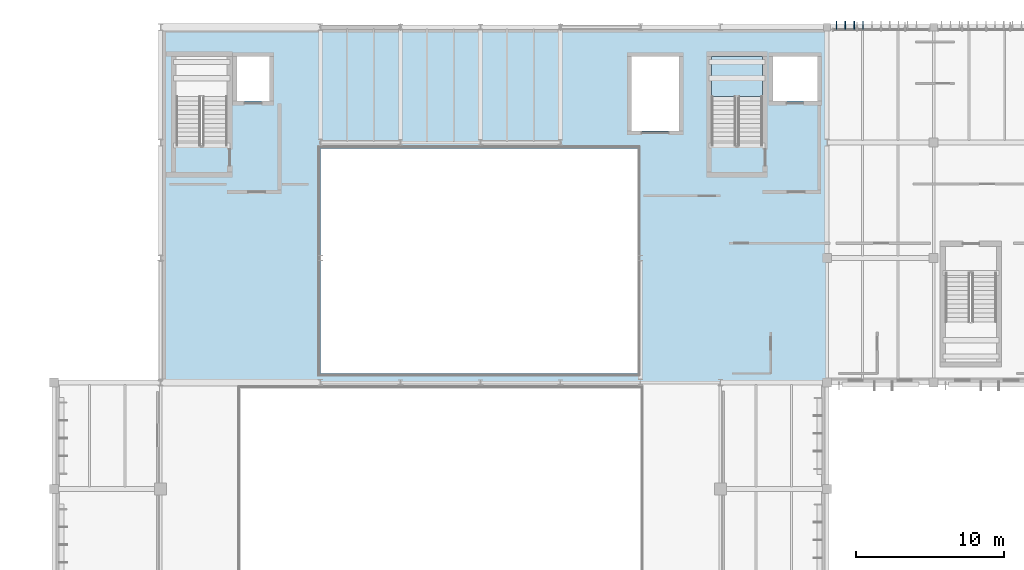
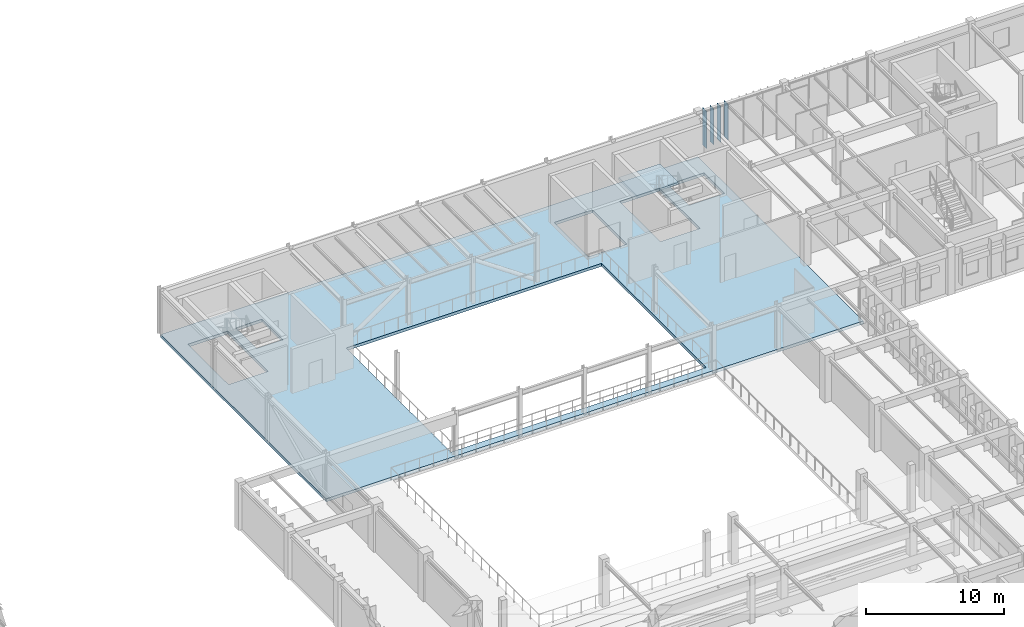
# One storey, part 28 of 122: 4 plates, 2 slabs, 1 element without a shape of its own.
"""IFC4 building model written with IfcOpenShell, lengths in metres."""

from ifc_helpers import new_model, si_unit, direction, frame, origin, origin_2d, place, context, subcontext, project, spatial, polyline, rectangle, outline, extrude, material, layer, layer_set, type_object, element, aggregate, save


model = new_model("IFC4")

# Units and contexts
model_context = context("Model", 3, precision=1e-05, world=origin(), true_north=direction((0.0, 1.0)))
body_context = subcontext(model_context, "Body", "Model", "MODEL_VIEW")
ifc_project = project(units=[si_unit("LENGTHUNIT", "METRE"), si_unit("AREAUNIT", "SQUARE_METRE"), si_unit("VOLUMEUNIT", "CUBIC_METRE"), si_unit("PLANEANGLEUNIT", "RADIAN"), si_unit("MASSUNIT", "GRAM", prefix="KILO")], contexts=[model_context])

# Site, building, storey
site_placement = place(None, origin())
site = spatial("IfcSite", under=ifc_project, at=site_placement, CompositionType="ELEMENT")
building_placement = place(site_placement, origin())
building = spatial("IfcBuilding", under=site, at=building_placement, Name="Tazoul Stagehouse", CompositionType="ELEMENT")
storey_placement = place(building_placement, frame((0.0, 0.0, 4.800048828125)))
storey = spatial("IfcBuildingStorey", under=building, at=storey_placement, Name="L01", CompositionType="ELEMENT", Elevation=4.800048828125)

# Stair, slab
ifc_material_1 = material(Name="Concrete C40/50", Category="concrete")
stair_type = type_object("IfcStairType", Name="Protected Core Dogleg Stair 4800", PredefinedType="HALF_TURN_STAIR", material=ifc_material_1)
stair_placement = place(storey_placement, origin())
stair = element("IfcStair", 1, at=stair_placement, inside=storey, type_object=stair_type, Name="L01 Core Escape Stair ST-01", PredefinedType="HALF_TURN_STAIR")
ifc_layer_1 = layer(ifc_material_1, 0.179931640625, Name="Concrete C40/50")
ifc_layer_set_1 = layer_set([ifc_layer_1], Name="Concrete C40/50")
slab_type_1 = type_object("IfcSlabType", Name="Core Half-Landing Slab 180", PredefinedType="LANDING", material=ifc_layer_set_1)
slab_1_placement = place(storey_placement, frame((0.0, 0.0, 1.89990234375)))
slab_1 = element("IfcSlab", 2, at=slab_1_placement, type_object=slab_type_1, Name="ST-01 landing 1", PredefinedType="LANDING", context=body_context, shape_type="SweptSolid", body=[
    extrude(outline(polyline([(98.25, 107.10009765625), (98.25, 109.800048828125), (94.800048828125, 109.800048828125), (94.800048828125, 107.10009765625), (98.25, 107.10009765625)])), origin(), (0.0, 0.0, 1.0), 0.199951171875),
])
aggregate(stair, [slab_1])

# Plates
ifc_material_2 = material(Name="Anodised Bronze Aluminium 6063-T6", Category="aluminium")
ifc_layer_2 = layer(ifc_material_2, 0.52001953125, Name="Anodised Bronze Aluminium 6063-T6")
ifc_layer_set_2 = layer_set([ifc_layer_2], Name="Anodised Bronze Aluminium 6063-T6")
plate_type_1 = type_object("IfcPlateType", Name="Parametric Terracotta-Bronze Solar Fin 520x3200", PredefinedType="USERDEFINED", material=ifc_layer_set_2)
for number, where, z_axis, x_axis, name in (
    (3, (103.840087890625, 111.919921875, 0.68994140625), (0.0, 0.0, 1.0), (1.0, 0.0, 0.0), "L01 Parametric Solar Fin SFN-18 (CW-V3-N1-L01-B1-02)"),
    (4, (104.43994140625, 111.919921875, 0.68994140625), (0.0, 0.0, 1.0), (1.0, 0.0, 0.0), "L01 Parametric Solar Fin SFN-18 (CW-V3-N1-L01-B1-03)"),
    (5, (105.0400390625, 111.919921875, 0.68994140625), (0.0, 0.0, 1.0), (1.0, 0.0, 0.0), "L01 Parametric Solar Fin SFN-18 (CW-V3-N1-L01-B1-04)"),
):
    element("IfcPlate", number, at=place(storey_placement, frame(where, z_axis=z_axis, x_axis=x_axis)), inside=storey, type_object=plate_type_1, Name=name, ObjectType="SOLAR FIN", PredefinedType="USERDEFINED", context=body_context, shape_type="SweptSolid", body=[
        extrude(rectangle(XDim=0.044921875, YDim=0.52001953125, at=origin_2d()), origin(), (0.0, 0.0, 1.0), 3.199951171875),
    ])
ifc_layer_3 = layer(ifc_material_2, 0.530029296875, Name="Anodised Bronze Aluminium 6063-T6")
ifc_layer_set_3 = layer_set([ifc_layer_3], Name="Anodised Bronze Aluminium 6063-T6")
plate_type_2 = type_object("IfcPlateType", Name="Parametric Terracotta-Bronze Solar Fin 530x3300", PredefinedType="USERDEFINED", material=ifc_layer_set_3)
plate_placement = place(storey_placement, frame((103.239990234375, 111.925048828125, 0.58984375), z_axis=(0.0, 0.0, 1.0), x_axis=(1.0, 0.0, 0.0)))
element("IfcPlate", 6, at=plate_placement, inside=storey, type_object=plate_type_2, Name="L01 Parametric Solar Fin SFN-19 (CW-V3-N1-L01-B1-01)", ObjectType="SOLAR FIN", PredefinedType="USERDEFINED", context=body_context, shape_type="SweptSolid", body=[
    extrude(rectangle(XDim=0.044921875, YDim=0.530029296875, at=origin_2d()), origin(), (0.0, 0.0, 1.0), 3.300048828125),
])

# Slab
ifc_material_3 = material(Name="Concrete C35/45", Category="concrete")
ifc_layer_4 = layer(ifc_material_3, 0.260009765625, Name="Concrete C35/45")
ifc_layer_set_4 = layer_set([ifc_layer_4], Name="Concrete C35/45")
slab_type_2 = type_object("IfcSlabType", Name="Suspended Floor Slab 260", PredefinedType="FLOOR", material=ifc_layer_set_4)
slab_2_placement = place(storey_placement, frame((0.0, 0.0, -0.260009765625)))
element("IfcSlab", 7, at=slab_2_placement, inside=storey, type_object=slab_type_2, Name="L01 Suspended Floor Slab 260 (V2)", PredefinedType="FLOOR", context=body_context, shape_type="SweptSolid", body=[
    extrude(outline(polyline([(57.60009765625, 87.800048828125), (57.60009765625, 111.800048828125), (102.60009765625, 111.800048828125), (102.60009765625, 87.800048828125), (57.60009765625, 87.800048828125)]), holes=[polyline([(68.39990234375, 103.60009765625), (89.800048828125, 103.60009765625), (89.800048828125, 88.39990234375), (68.39990234375, 88.39990234375), (68.39990234375, 103.60009765625)]), polyline([(58.7099609375, 109.739990234375), (62.0400390625, 109.739990234375), (62.0400390625, 103.860107421875), (58.7099609375, 103.860107421875), (58.7099609375, 109.739990234375)]), polyline([(62.75, 109.800048828125), (64.949951171875, 109.800048828125), (64.949951171875, 106.800048828125), (62.75, 106.800048828125), (62.75, 109.800048828125)]), polyline([(94.860107421875, 109.739990234375), (98.18994140625, 109.739990234375), (98.18994140625, 103.860107421875), (94.860107421875, 103.860107421875), (94.860107421875, 109.739990234375)]), polyline([(89.39990234375, 109.800048828125), (92.60009765625, 109.800048828125), (92.60009765625, 104.800048828125), (89.39990234375, 104.800048828125), (89.39990234375, 109.800048828125)]), polyline([(98.949951171875, 109.800048828125), (101.949951171875, 109.800048828125), (101.949951171875, 106.800048828125), (98.949951171875, 106.800048828125), (98.949951171875, 109.800048828125)])]), origin(), (0.0, 0.0, 1.0), 0.260009765625),
])

save(model, "model.ifc")
